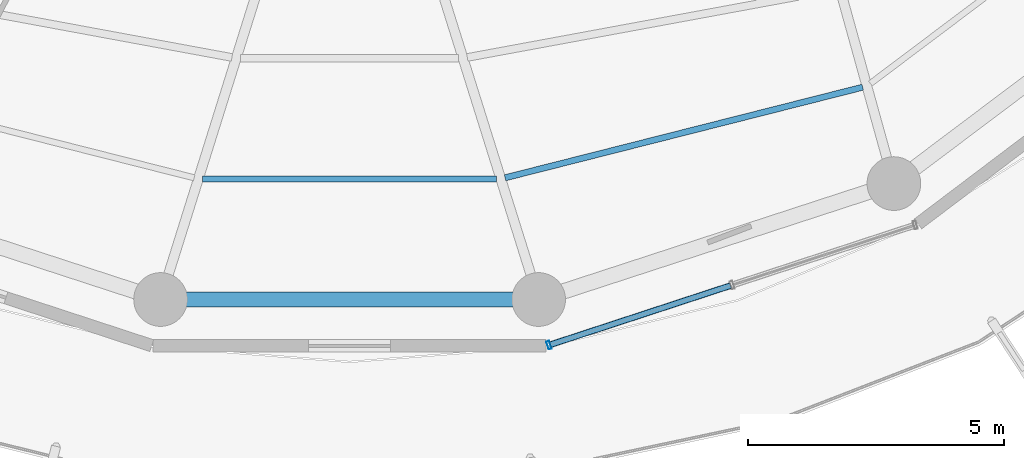
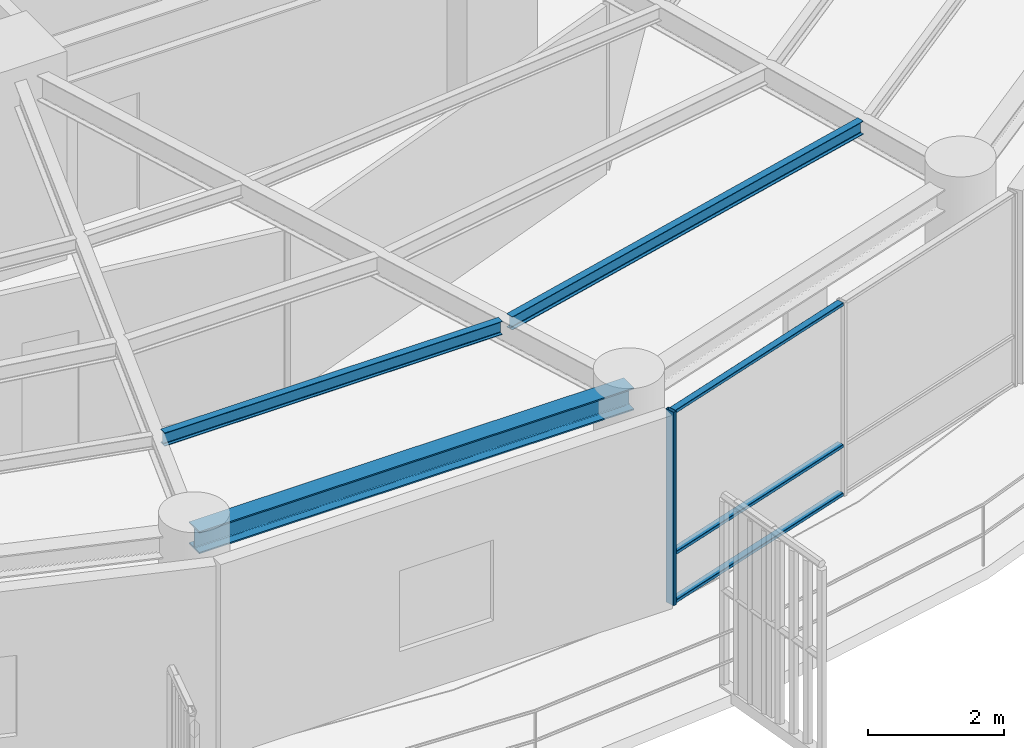
# One storey, part 4 of 31: 4 members, 3 beams, 1 element without a shape of its own.
"""IFC4 building model written with IfcOpenShell, lengths in metres."""

from ifc_helpers import new_model, si_unit, direction, frame, origin, origin_2d, place, context, subcontext, project, spatial, hollow_rectangle, i_section, extrude, material, layer, layer_set, material_profile, profile_set, type_object, element, aggregate, save


model = new_model("IFC4")

# Units and contexts
model_context = context("Model", 3, precision=1e-05, world=origin(), true_north=direction((0.0, 1.0)))
body_context = subcontext(model_context, "Body", "Model", "MODEL_VIEW")
ifc_project = project(units=[si_unit("LENGTHUNIT", "METRE"), si_unit("AREAUNIT", "SQUARE_METRE"), si_unit("VOLUMEUNIT", "CUBIC_METRE"), si_unit("PLANEANGLEUNIT", "RADIAN"), si_unit("MASSUNIT", "GRAM", prefix="KILO")], contexts=[model_context])

# Site, building, storey
site_placement = place(None, origin())
site = spatial("IfcSite", under=ifc_project, at=site_placement, CompositionType="ELEMENT")
building_placement = place(site_placement, origin())
building = spatial("IfcBuilding", under=site, at=building_placement, Name="Kelanora Arch Commons", CompositionType="ELEMENT")
storey_placement = place(building_placement, frame((0.0, 0.0, 196.949951171875)))
storey = spatial("IfcBuildingStorey", under=building, at=storey_placement, Name="L50", CompositionType="ELEMENT", Elevation=196.949951171875)

# Beams
ifc_material_1 = material(Name="Steel S355", Category="steel")
ifc_material_profile_1 = material_profile(ifc_material_1, i_section(OverallWidth=0.1201171875, OverallDepth=0.239990234375, WebThickness=0.006103515625, FlangeThickness=0.009765625, FilletRadius=0.014892578125, at=origin_2d()), Name="IPE240")
ifc_profile_set_1 = profile_set([ifc_material_profile_1], Name="Steel S355")
beam_type_1 = type_object("IfcBeamType", Name="BM-JST-02", PredefinedType="JOIST", material=ifc_profile_set_1)
beam_1_placement = place(storey_placement, frame((71.12890625, 41.56787109375, 3.3701171875), z_axis=(1.0, 0.0, 0.0), x_axis=(0.0, 1.0, 0.0)))
element("IfcBeam", 1, at=beam_1_placement, inside=storey, type_object=beam_type_1, Name="Secondary Chord Joist BJC-26 L50", PredefinedType="JOIST", context=body_context, shape_type="SweptSolid", body=[
    extrude(i_section(OverallWidth=0.1201171875, OverallDepth=0.239990234375, WebThickness=0.006103515625, FlangeThickness=0.009765625, FilletRadius=0.014892578125, at=origin_2d()), origin(), (0.0, 0.0, 1.0), 5.7421875),
])
beam_2_placement = place(storey_placement, frame((77.03857421875, 41.5888671875, 3.3701171875), z_axis=(0.969370989998, 0.245601066263, 0.0), x_axis=(-0.245601066263, 0.969370989998, 0.0)))
element("IfcBeam", 2, at=beam_2_placement, inside=storey, type_object=beam_type_1, Name="Secondary Chord Joist BJC-28 L50", PredefinedType="JOIST", context=body_context, shape_type="SweptSolid", body=[
    extrude(i_section(OverallWidth=0.1201171875, OverallDepth=0.239990234375, WebThickness=0.006103515625, FlangeThickness=0.009765625, FilletRadius=0.014892578125, at=origin_2d()), origin(), (0.0, 0.0, 1.0), 7.2119140625),
])
ifc_material_profile_2 = material_profile(ifc_material_1, i_section(OverallWidth=0.300048828125, OverallDepth=0.39990234375, WebThickness=0.013427734375, FlangeThickness=0.02392578125, FilletRadius=0.027099609375, at=origin_2d()), Name="HEB400")
ifc_profile_set_2 = profile_set([ifc_material_profile_2], Name="Steel S355")
beam_type_2 = type_object("IfcBeamType", Name="BM-SPN-Z4", PredefinedType="SPANDREL", material=ifc_profile_set_2)
beam_3_placement = place(storey_placement, frame((70.3046875, 39.2099609375, 3.2900390625), z_axis=(1.0, 0.0, 0.0), x_axis=(0.0, 1.0, 0.0)))
element("IfcBeam", 3, at=beam_3_placement, inside=storey, type_object=beam_type_2, Name="Perimeter Spandrel Beam BS-26 L50", PredefinedType="SPANDREL", context=body_context, shape_type="SweptSolid", body=[
    extrude(i_section(OverallWidth=0.300048828125, OverallDepth=0.39990234375, WebThickness=0.013427734375, FlangeThickness=0.02392578125, FilletRadius=0.027099609375, at=origin_2d()), origin(), (0.0, 0.0, 1.0), 7.390625),
])

# Curtain wall, members
ifc_material_2 = material(Name="Terracotta ceramic-fritted low-E glass and aluminium", Category="masonry")
ifc_layer = layer(ifc_material_2, 0.175048828125)
ifc_layer_set = layer_set([ifc_layer], Name="Terracotta ceramic-fritted low-E glass and aluminium")
curtain_wall_type = type_object("IfcCurtainWallType", Name="CW-SYS-02", PredefinedType="NOTDEFINED", material=ifc_layer_set)
curtain_wall_placement = place(storey_placement, origin())
curtain_wall = element("IfcCurtainWall", 4, at=curtain_wall_placement, inside=storey, type_object=curtain_wall_type, Name="Unitised Curtain Wall L50-B14", PredefinedType="NOTDEFINED")
ifc_material_3 = material(Name="Powder-coated aluminium terracotta", Category="masonry")
ifc_material_profile_3 = material_profile(ifc_material_3, hollow_rectangle(XDim=0.159912109375, YDim=0.06005859375, WallThickness=0.0048828125, InnerFilletRadius=0.0048828125, OuterFilletRadius=0.010009765625, at=origin_2d()), Name="CWM160x60")
ifc_profile_set_3 = profile_set([ifc_material_profile_3], Name="Powder-coated aluminium terracotta")
member_type_1 = type_object("IfcMemberType", Name="CWM-STD", PredefinedType="MULLION", material=ifc_profile_set_3)
member_1_placement = place(storey_placement, frame((77.897705078125, 38.31787109375, 0.0), z_axis=(0.0, 0.0, 1.0), x_axis=(-0.311582439059, 0.950219124029, 0.0)))
member_1 = element("IfcMember", 5, at=member_1_placement, type_object=member_type_1, Name="CW-02 mullion 1", PredefinedType="MULLION", context=body_context, shape_type="SweptSolid", body=[
    extrude(hollow_rectangle(XDim=0.159912109375, YDim=0.06005859375, WallThickness=0.0048828125, InnerFilletRadius=0.0048828125, OuterFilletRadius=0.010009765625, at=origin_2d()), origin(), (0.0, 0.0, 1.0), 3.47509765625),
])
ifc_material_profile_4 = material_profile(ifc_material_3, hollow_rectangle(XDim=0.1201171875, YDim=0.06005859375, WallThickness=0.0048828125, InnerFilletRadius=0.0048828125, OuterFilletRadius=0.010009765625, at=origin_2d()), Name="CWT120x60")
ifc_profile_set_4 = profile_set([ifc_material_profile_4], Name="Powder-coated aluminium terracotta")
member_type_2 = type_object("IfcMemberType", Name="CWT-STD", PredefinedType="USERDEFINED", material=ifc_profile_set_4)
member_2_placement = place(storey_placement, frame((77.92626953125, 38.3271484375, 0.030029296875), z_axis=(0.950206527055, 0.311620852867, 0.0), x_axis=(-0.311620852867, 0.950206527055, 0.0)))
member_2 = element("IfcMember", 6, at=member_2_placement, type_object=member_type_2, Name="CW-02 transom 1.1", ObjectType="TRANSOM", PredefinedType="USERDEFINED", context=body_context, shape_type="SweptSolid", body=[
    extrude(hollow_rectangle(XDim=0.1201171875, YDim=0.06005859375, WallThickness=0.0048828125, InnerFilletRadius=0.0048828125, OuterFilletRadius=0.010009765625, at=origin_2d()), origin(), (0.0, 0.0, 1.0), 3.707275390625),
])
member_3_placement = place(storey_placement, frame((77.92626953125, 38.3271484375, 0.900146484375), z_axis=(0.950206527055, 0.311620852867, 0.0), x_axis=(-0.311620852867, 0.950206527055, 0.0)))
member_3 = element("IfcMember", 7, at=member_3_placement, type_object=member_type_2, Name="CW-02 transom 1.2", ObjectType="TRANSOM", PredefinedType="USERDEFINED", context=body_context, shape_type="SweptSolid", body=[
    extrude(hollow_rectangle(XDim=0.1201171875, YDim=0.06005859375, WallThickness=0.0048828125, InnerFilletRadius=0.0048828125, OuterFilletRadius=0.010009765625, at=origin_2d()), origin(), (0.0, 0.0, 1.0), 3.707275390625),
])
member_4_placement = place(storey_placement, frame((77.92626953125, 38.3271484375, 3.445068359375), z_axis=(0.950206527055, 0.311620852867, 0.0), x_axis=(-0.311620852867, 0.950206527055, 0.0)))
member_4 = element("IfcMember", 8, at=member_4_placement, type_object=member_type_2, Name="CW-02 transom 1.3", ObjectType="TRANSOM", PredefinedType="USERDEFINED", context=body_context, shape_type="SweptSolid", body=[
    extrude(hollow_rectangle(XDim=0.1201171875, YDim=0.06005859375, WallThickness=0.0048828125, InnerFilletRadius=0.0048828125, OuterFilletRadius=0.010009765625, at=origin_2d()), origin(), (0.0, 0.0, 1.0), 3.707275390625),
])
aggregate(curtain_wall, [member_1, member_2, member_3, member_4])

save(model, "model.ifc")
